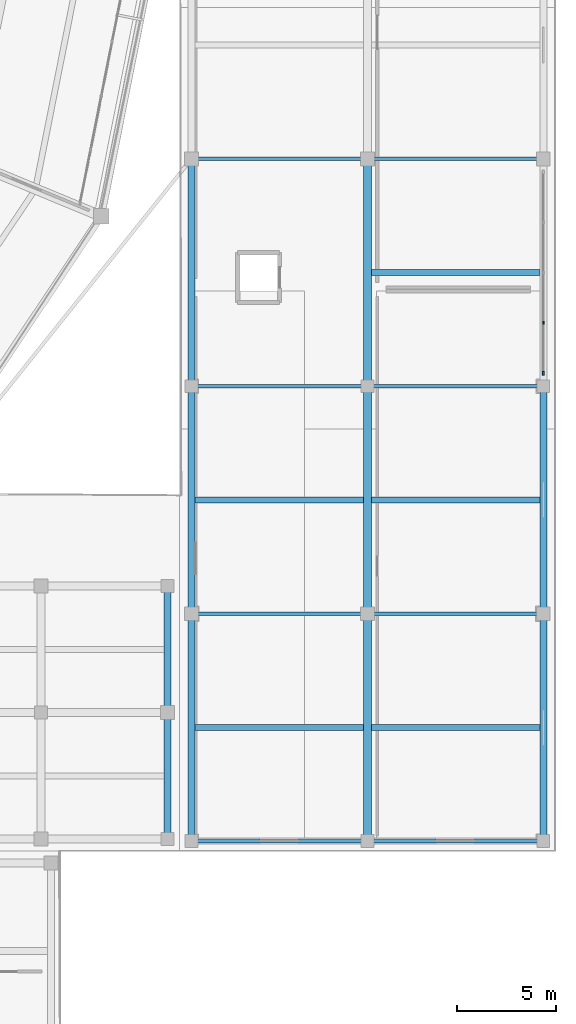
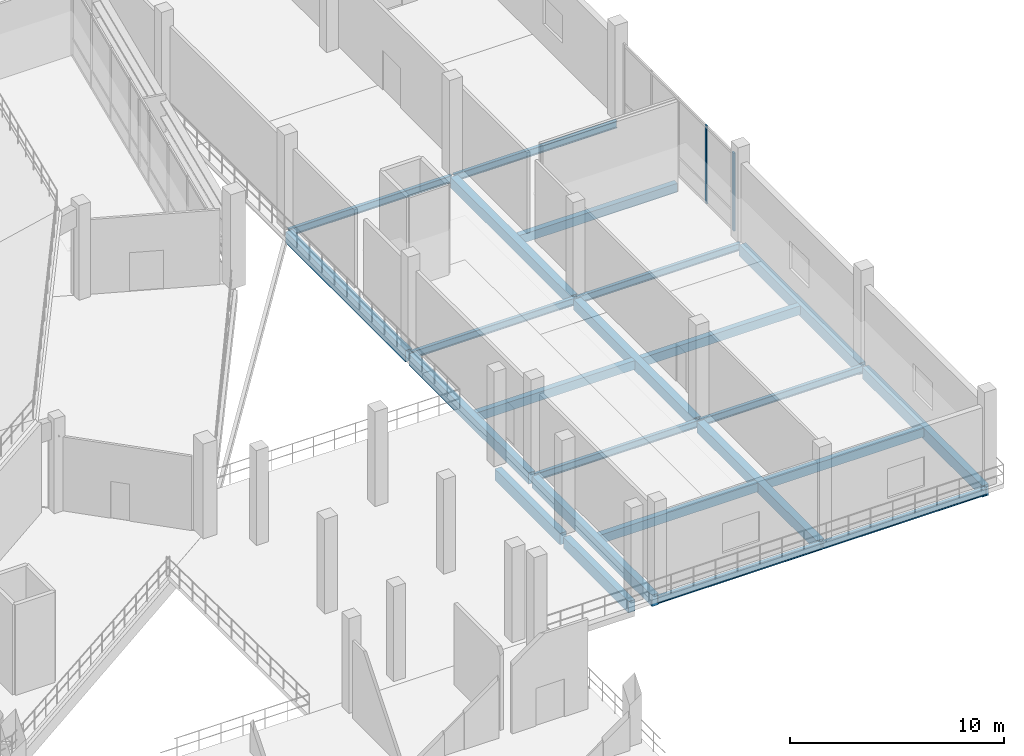
# One storey, part 39 of 127: 23 beams, 2 members, 1 element without a shape of its own.
"""IFC4 building model written with IfcOpenShell, lengths in metres."""

from ifc_helpers import new_model, si_unit, direction, frame, origin, origin_2d, place, context, subcontext, project, spatial, rectangle, i_section, extrude, material, material_profile, profile_set, type_object, element, aggregate, save


model = new_model("IFC4")

# Units and contexts
model_context = context("Model", 3, precision=1e-05, world=origin(), true_north=direction((0.0, 1.0)))
body_context = subcontext(model_context, "Body", "Model", "MODEL_VIEW")
ifc_project = project(units=[si_unit("LENGTHUNIT", "METRE"), si_unit("AREAUNIT", "SQUARE_METRE"), si_unit("VOLUMEUNIT", "CUBIC_METRE"), si_unit("PLANEANGLEUNIT", "RADIAN"), si_unit("MASSUNIT", "GRAM", prefix="KILO")], contexts=[model_context])

# Site, building, storey
site_placement = place(None, origin())
site = spatial("IfcSite", under=ifc_project, at=site_placement, CompositionType="ELEMENT")
building_placement = place(site_placement, origin())
building = spatial("IfcBuilding", under=site, at=building_placement, Name="Candeia Ridge Stadium", CompositionType="ELEMENT")
storey_placement = place(building_placement, frame((0.0, 0.0, 10.800048828125)))
storey = spatial("IfcBuildingStorey", under=building, at=storey_placement, Name="L02", CompositionType="ELEMENT", Elevation=10.800048828125)

# Curtain wall, members
ifc_material_1 = material(Name="Aluminium Anodized Warm Bronze", Category="aluminium")
curtain_wall_type = type_object("IfcCurtainWallType", Name="Cardinal Entrance Gate Tall Glazed Curtain Wall", PredefinedType="NOTDEFINED", material=ifc_material_1)
curtain_wall_placement = place(storey_placement, origin())
curtain_wall = element("IfcCurtainWall", 1, at=curtain_wall_placement, inside=storey, type_object=curtain_wall_type, Name="Unitised curtain wall CW-WNG-L02-106", PredefinedType="NOTDEFINED")
ifc_material_profile_1 = material_profile(ifc_material_1, rectangle(XDim=0.090087890625, YDim=0.179931640625, at=origin_2d()), Name="CWM-90x180", Category="aluminium")
ifc_profile_set_1 = profile_set([ifc_material_profile_1], Name="Aluminium Anodized Warm Bronze")
member_type_1 = type_object("IfcMemberType", Name="Curtain Wall Primary Mullion 90x180", PredefinedType="MULLION", material=ifc_profile_set_1)
member_1_placement = place(storey_placement, frame((211.39990234375, 43.159912109375, 0.0), z_axis=(0.0, 0.0, 1.0), x_axis=(1.0, 0.0, 0.0)))
member_1 = element("IfcMember", 2, at=member_1_placement, type_object=member_type_1, Name="Curtain wall mullion CW-WNG-L02-106-M0", PredefinedType="MULLION", context=body_context, shape_type="SweptSolid", body=[
    extrude(rectangle(XDim=0.090087890625, YDim=0.179931640625, at=origin_2d()), origin(), (0.0, 0.0, 1.0), 4.454833984375),
])
ifc_material_profile_2 = material_profile(ifc_material_1, rectangle(XDim=0.074951171875, YDim=0.14990234375, at=origin_2d()), Name="CWM-75x150", Category="aluminium")
ifc_profile_set_2 = profile_set([ifc_material_profile_2], Name="Aluminium Anodized Warm Bronze")
member_type_2 = type_object("IfcMemberType", Name="Curtain Wall Secondary Mullion 75x150", PredefinedType="MULLION", material=ifc_profile_set_2)
member_2_placement = place(storey_placement, frame((211.39990234375, 45.705078125, 0.0), z_axis=(0.0, 0.0, 1.0), x_axis=(1.0, 0.0, 0.0)))
member_2 = element("IfcMember", 3, at=member_2_placement, type_object=member_type_2, Name="Curtain wall mullion CW-WNG-L02-106-M1", PredefinedType="MULLION", context=body_context, shape_type="SweptSolid", body=[
    extrude(rectangle(XDim=0.074951171875, YDim=0.14990234375, at=origin_2d()), origin(), (0.0, 0.0, 1.0), 4.454833984375),
])
aggregate(curtain_wall, [member_1, member_2])

# Beams
ifc_material_2 = material(Name="Concrete C40/50", Category="concrete")
ifc_material_profile_3 = material_profile(ifc_material_2, rectangle(XDim=0.300048828125, YDim=0.5, at=origin_2d()), Name="RC300x500", Category="concrete")
ifc_profile_set_3 = profile_set([ifc_material_profile_3], Name="Concrete C40/50")
beam_type_1 = type_object("IfcBeamType", Name="Floor Joist RC300x500", PredefinedType="JOIST", material=ifc_profile_set_3)
for number, where, z_axis, x_axis, name in (
    (4, (193.7744140625, 25.25, -0.510009765625), (1.0, 0.0, 0.0), (0.0, 1.0, 0.0), "Wing secondary joist BM-L02-1648"),
    (5, (193.7744140625, 36.75, -0.510009765625), (1.0, 0.0, 0.0), (0.0, 1.0, 0.0), "Wing secondary joist BM-L02-1650"),
    (6, (202.699462890625, 25.25, -0.510009765625), (1.0, 0.0, 0.0), (0.0, 1.0, 0.0), "Wing secondary joist BM-L02-1669"),
    (7, (202.699462890625, 36.75, -0.510009765625), (1.0, 0.0, 0.0), (0.0, 1.0, 0.0), "Wing secondary joist BM-L02-1671"),
    (8, (202.699462890625, 48.25, -0.510009765625), (1.0, 0.0, 0.0), (0.0, 1.0, 0.0), "Wing secondary joist BM-L02-1673"),
):
    element("IfcBeam", number, at=place(storey_placement, frame(where, z_axis=z_axis, x_axis=x_axis)), inside=storey, type_object=beam_type_1, Name=name, PredefinedType="JOIST", context=body_context, shape_type="SweptSolid", body=[
        extrude(rectangle(XDim=0.300048828125, YDim=0.5, at=origin_2d()), origin(), (0.0, 0.0, 1.0), 8.526123046875),
    ])
ifc_material_profile_4 = material_profile(ifc_material_2, rectangle(XDim=0.39990234375, YDim=0.60009765625, at=origin_2d()), Name="RC400x600", Category="concrete")
ifc_profile_set_4 = profile_set([ifc_material_profile_4], Name="Concrete C40/50")
beam_type_2 = type_object("IfcBeamType", Name="Frame Girder RC400x600", PredefinedType="BEAM", material=ifc_profile_set_4)
for number, where, z_axis, x_axis, name in (
    (9, (202.5, 19.659912109375, -0.56005859375), (0.0, 1.0, 0.0), (-1.0, 0.0, 0.0), "Structural girder BM-L02-1625"),
    (10, (202.5, 31.159912109375, -0.56005859375), (0.0, 1.0, 0.0), (-1.0, 0.0, 0.0), "Structural girder BM-L02-1626"),
    (11, (202.5, 42.659912109375, -0.56005859375), (0.0, 1.0, 0.0), (-1.0, 0.0, 0.0), "Structural girder BM-L02-1627"),
):
    element("IfcBeam", number, at=place(storey_placement, frame(where, z_axis=z_axis, x_axis=x_axis)), inside=storey, type_object=beam_type_2, Name=name, PredefinedType="BEAM", context=body_context, shape_type="SweptSolid", body=[
        extrude(rectangle(XDim=0.39990234375, YDim=0.60009765625, at=origin_2d()), origin(), (0.0, 0.0, 1.0), 11.18017578125),
    ])
ifc_material_profile_5 = material_profile(ifc_material_2, rectangle(XDim=0.35009765625, YDim=0.64990234375, at=origin_2d()), Name="RC350x650", Category="concrete")
ifc_profile_set_5 = profile_set([ifc_material_profile_5], Name="Concrete C40/50")
beam_type_3 = type_object("IfcBeamType", Name="Spandrel Beam RC350x650", PredefinedType="SPANDREL", material=ifc_profile_set_5)
for number, where, z_axis, x_axis, name in (
    (12, (193.60009765625, 19.659912109375, -0.5849609375), (0.0, 1.0, 0.0), (-1.0, 0.0, 0.0), "Structural girder BM-L02-1614"),
    (13, (193.60009765625, 31.159912109375, -0.5849609375), (0.0, 1.0, 0.0), (-1.0, 0.0, 0.0), "Structural girder BM-L02-1615"),
    (14, (193.60009765625, 42.659912109375, -0.5849609375), (0.0, 1.0, 0.0), (-1.0, 0.0, 0.0), "Structural girder BM-L02-1616"),
    (15, (211.39990234375, 19.659912109375, -0.5849609375), (0.0, 1.0, 0.0), (-1.0, 0.0, 0.0), "Structural girder BM-L02-1636"),
    (16, (211.39990234375, 31.159912109375, -0.5849609375), (0.0, 1.0, 0.0), (-1.0, 0.0, 0.0), "Structural girder BM-L02-1637"),
):
    element("IfcBeam", number, at=place(storey_placement, frame(where, z_axis=z_axis, x_axis=x_axis)), inside=storey, type_object=beam_type_3, Name=name, PredefinedType="SPANDREL", context=body_context, shape_type="SweptSolid", body=[
        extrude(rectangle(XDim=0.35009765625, YDim=0.64990234375, at=origin_2d()), origin(), (0.0, 0.0, 1.0), 11.18017578125),
    ])
for number, where, z_axis, x_axis, name in (
    (17, (192.39990234375, 19.760009765625, -0.5849609375), (0.0, 1.0, 0.0), (-1.0, 0.0, 0.0), "Structural girder BM-L02-2250"),
    (18, (192.39990234375, 26.159912109375, -0.5849609375), (0.0, 1.0, 0.0), (-1.0, 0.0, 0.0), "Structural girder BM-L02-2251"),
):
    element("IfcBeam", number, at=place(storey_placement, frame(where, z_axis=z_axis, x_axis=x_axis)), inside=storey, type_object=beam_type_3, Name=name, PredefinedType="SPANDREL", context=body_context, shape_type="SweptSolid", body=[
        extrude(rectangle(XDim=0.35009765625, YDim=0.64990234375, at=origin_2d()), origin(), (0.0, 0.0, 1.0), 6.080078125),
    ])
ifc_material_3 = material(Name="Steel ASTM A572 Grade 50", Category="steel")
ifc_material_profile_6 = material_profile(ifc_material_3, i_section(OverallWidth=0.178955078125, OverallDepth=0.409912109375, WebThickness=0.0087890625, FlangeThickness=0.014404296875, FilletRadius=0.011962890625, at=origin_2d()), Name="W410x67", Category="steel")
ifc_profile_set_6 = profile_set([ifc_material_profile_6], Name="Steel ASTM A572 Grade 50")
beam_type_4 = type_object("IfcBeamType", Name="Warm-Up Hall Girder W410x67", PredefinedType="BEAM", material=ifc_profile_set_6)
for number, where, z_axis, x_axis, name in (
    (19, (193.64990234375, 19.5, -0.465087890625), (1.0, 0.0, 0.0), (0.0, 1.0, 0.0), "Structural girder BM-L02-1647"),
    (20, (193.64990234375, 31.0, -0.465087890625), (1.0, 0.0, 0.0), (0.0, 1.0, 0.0), "Structural girder BM-L02-1649"),
    (21, (193.64990234375, 42.5, -0.465087890625), (1.0, 0.0, 0.0), (0.0, 1.0, 0.0), "Structural girder BM-L02-1651"),
    (22, (193.64990234375, 54.0, -0.465087890625), (1.0, 0.0, 0.0), (0.0, 1.0, 0.0), "Structural girder BM-L02-1652"),
    (23, (202.550048828125, 19.5, -0.465087890625), (1.0, 0.0, 0.0), (0.0, 1.0, 0.0), "Structural girder BM-L02-1668"),
    (24, (202.550048828125, 31.0, -0.465087890625), (1.0, 0.0, 0.0), (0.0, 1.0, 0.0), "Structural girder BM-L02-1670"),
    (25, (202.550048828125, 42.5, -0.465087890625), (1.0, 0.0, 0.0), (0.0, 1.0, 0.0), "Structural girder BM-L02-1672"),
    (26, (202.550048828125, 54.0, -0.465087890625), (1.0, 0.0, 0.0), (0.0, 1.0, 0.0), "Structural girder BM-L02-1674"),
):
    element("IfcBeam", number, at=place(storey_placement, frame(where, z_axis=z_axis, x_axis=x_axis)), inside=storey, type_object=beam_type_4, Name=name, PredefinedType="BEAM", context=body_context, shape_type="SweptSolid", body=[
        extrude(i_section(OverallWidth=0.178955078125, OverallDepth=0.409912109375, WebThickness=0.0087890625, FlangeThickness=0.014404296875, FilletRadius=0.011962890625, at=origin_2d()), origin(), (0.0, 0.0, 1.0), 8.800048828125),
    ])

save(model, "model.ifc")
